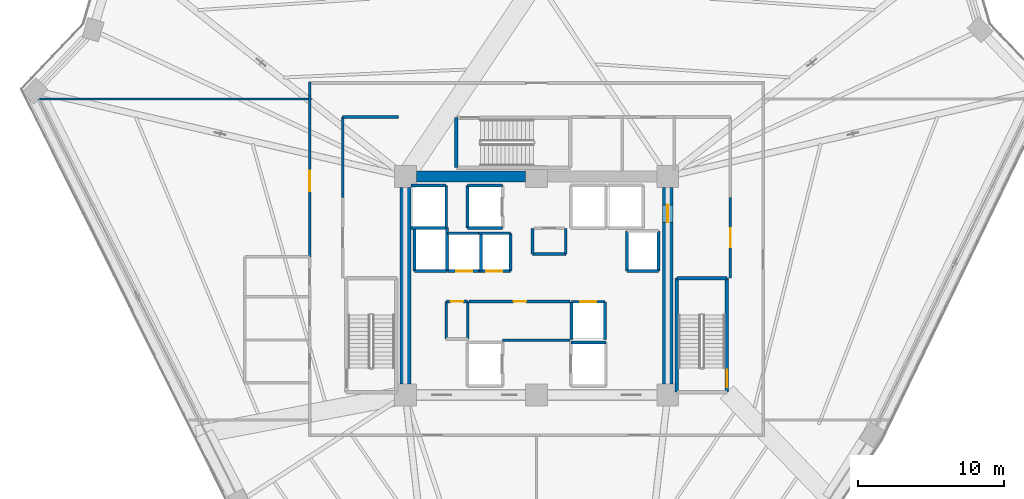
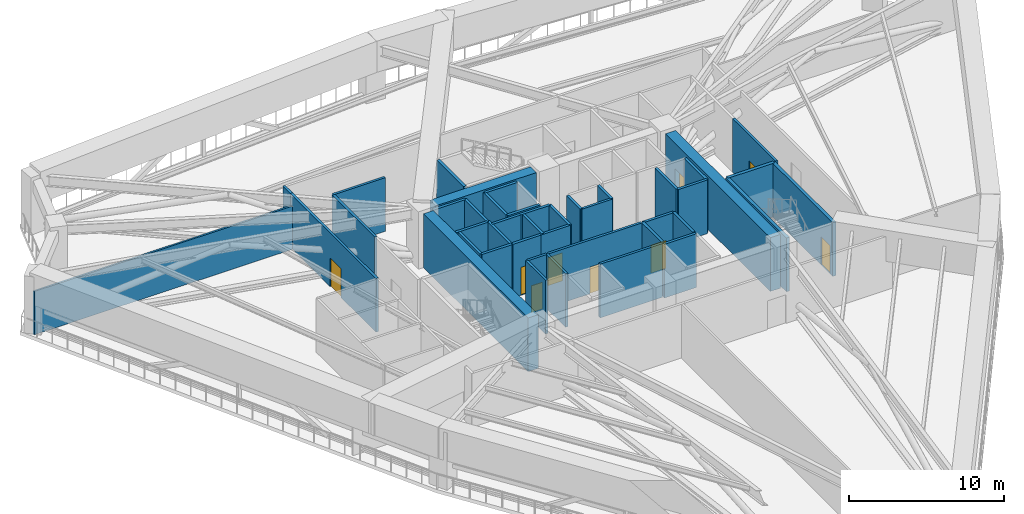
# One storey, part 17 of 27: 43 walls, 9 doors, 9 openings.
"""IFC4 building model written with IfcOpenShell, lengths in metres."""

from ifc_helpers import new_model, si_unit, direction, frame, frame_2d, origin, place, context, subcontext, project, spatial, rectangle, extrude, source, transform, mapped, material, layer, layer_set, type_object, element, fill, save


model = new_model("IFC4")

# Units and contexts
model_context = context("Model", 3, precision=1e-05, world=origin(), true_north=direction((0.0, 1.0)))
body_context = subcontext(model_context, "Body", "Model", "MODEL_VIEW")
ifc_project = project(units=[si_unit("LENGTHUNIT", "METRE"), si_unit("AREAUNIT", "SQUARE_METRE"), si_unit("VOLUMEUNIT", "CUBIC_METRE"), si_unit("PLANEANGLEUNIT", "RADIAN"), si_unit("MASSUNIT", "GRAM", prefix="KILO")], contexts=[model_context])

# Site, building, storey
site_placement = place(None, origin())
site = spatial("IfcSite", under=ifc_project, at=site_placement, CompositionType="ELEMENT")
building_placement = place(site_placement, origin())
building = spatial("IfcBuilding", under=site, at=building_placement, Name="Liaohun Quay Tower", CompositionType="ELEMENT")
storey_placement = place(building_placement, frame((0.0, 0.0, 185.25)))
storey = spatial("IfcBuildingStorey", under=building, at=storey_placement, Name="L48", CompositionType="ELEMENT", Elevation=185.25)

# Wall
ifc_material_1 = material(Name="Concrete C60", Category="concrete")
ifc_layer_1 = layer(ifc_material_1, 0.75, Name="Concrete C60", Category="concrete")
ifc_layer_set_1 = layer_set([ifc_layer_1], Name="Concrete C60")
wall_type_1 = type_object("IfcWallType", Name="WAL-COR-Z2", PredefinedType="SHEAR", material=ifc_layer_set_1)
wall_1_placement = place(storey_placement, frame((51.75, 61.5, 0.0), z_axis=(0.0, 0.0, 1.0), x_axis=(1.0, 0.0, 0.0)))
element("IfcWall", 1, at=wall_1_placement, inside=storey, type_object=wall_type_1, Name="L48 Central Core Shear Wall N-W", PredefinedType="SHEAR", context=body_context, shape_type="SweptSolid", body=[
    extrude(rectangle(XDim=7.5, YDim=0.75, at=frame_2d((3.75, 0.0))), origin(), (0.0, 0.0, 1.0), 4.219970703125),
])

# Wall, opening, door
wall_2_placement = place(storey_placement, frame((69.0, 60.75, 0.0), z_axis=(0.0, 0.0, 1.0), x_axis=(0.0, -1.0, 0.0)))
wall_2 = element("IfcWall", 2, at=wall_2_placement, inside=storey, type_object=wall_type_1, Name="L48 Central Core Shear Wall E", PredefinedType="SHEAR", context=body_context, shape_type="SweptSolid", body=[
    extrude(rectangle(XDim=13.5, YDim=0.75, at=frame_2d((6.75, 0.0))), origin(), (0.0, 0.0, 1.0), 4.219970703125),
])
shared_shape_1 = source(origin(), body_context, "Body", "SweptSolid", [
    extrude(rectangle(XDim=1.199951171875, YDim=2.199951171875, at=frame_2d((0.60009765625, 1.10009765625))), frame((0.0, 0.385009765625, 0.0), z_axis=(0.0, -1.0, 0.0), x_axis=(1.0, 0.0, 0.0)), (0.0, 0.0, 1.0), 0.77001953125),
])
opening_1_placement = place(wall_2_placement, frame((1.199951171875, 0.0, 0.0)))
opening_1 = element("IfcOpeningElement", 3, at=opening_1_placement, cuts=wall_2, Name="Opening SD1", PredefinedType="OPENING", context=body_context, shape_type="MappedRepresentation", body=[
    mapped(shared_shape_1, transform((0.0, 0.0, 0.0), x_axis=(1.0, 0.0, 0.0), y_axis=(0.0, 1.0, 0.0), z_axis=(0.0, 0.0, 1.0), scale=1.0)),
])
ifc_material_2 = material(Name="Galvanised steel fire door", Category="steel")
door_type_1 = type_object("IfcDoorType", Name="DOR-STR-1200", OperationType="NOTDEFINED", PredefinedType="DOOR", material=ifc_material_2)
shared_shape_2 = source(origin(), body_context, "Body", "SweptSolid", [
    extrude(rectangle(XDim=1.199951171875, YDim=2.199951171875, at=frame_2d((0.60009765625, 1.10009765625))), frame((0.0, 0.02490234375, 0.0), z_axis=(0.0, -1.0, 0.0), x_axis=(1.0, 0.0, 0.0)), (0.0, 0.0, 1.0), 0.050048828125),
])
door_1_placement = place(opening_1_placement, origin())
door_1 = element("IfcDoor", 4, at=door_1_placement, inside=storey, type_object=door_type_1, Name="L48 North-East Core Lobby Smokeproof Door", OperationType="SINGLE_SWING_LEFT", OverallHeight=2.199951171875, OverallWidth=1.199951171875, PredefinedType="DOOR", context=body_context, shape_type="MappedRepresentation", body=[
    mapped(shared_shape_2, transform((0.0, 0.0, 0.0), x_axis=(1.0, 0.0, 0.0), y_axis=(0.0, 1.0, 0.0), z_axis=(0.0, 0.0, 1.0), scale=1.0)),
])
fill(opening_1, door_1)

# Wall
wall_3_placement = place(storey_placement, frame((51.0, 47.25, 0.0), z_axis=(0.0, 0.0, 1.0), x_axis=(0.0, 1.0, 0.0)))
element("IfcWall", 5, at=wall_3_placement, inside=storey, type_object=wall_type_1, Name="L48 Central Core Shear Wall W", PredefinedType="SHEAR", context=body_context, shape_type="SweptSolid", body=[
    extrude(rectangle(XDim=13.5, YDim=0.75, at=frame_2d((6.75, 0.0))), origin(), (0.0, 0.0, 1.0), 4.219970703125),
])

# Wall, opening, door
ifc_material_3 = material(Name="Autoclaved aerated concrete blockwork", Category="masonry")
ifc_layer_2 = layer(ifc_material_3, 0.179931640625, Name="Autoclaved aerated concrete blockwork", Category="masonry")
ifc_layer_set_2 = layer_set([ifc_layer_2], Name="Autoclaved aerated concrete blockwork")
wall_type_2 = type_object("IfcWallType", Name="WAL-PRT-COR", PredefinedType="PARTITIONING", material=ifc_layer_set_2)
wall_4_placement = place(storey_placement, frame((55.3701171875, 52.919921875, 0.0), z_axis=(0.0, 0.0, 1.0), x_axis=(1.0, 0.0, 0.0)))
wall_4 = element("IfcWall", 6, at=wall_4_placement, inside=storey, type_object=wall_type_2, Name="L48 Interior Partition Wall 001", PredefinedType="PARTITIONING", context=body_context, shape_type="SweptSolid", body=[
    extrude(rectangle(XDim=6.929931640625, YDim=0.179931640625, at=frame_2d((3.46484375, 0.0))), origin(), (0.0, 0.0, 1.0), 4.219970703125),
])
shared_shape_3 = source(origin(), body_context, "Body", "SweptSolid", [
    extrude(rectangle(XDim=0.85009765625, YDim=2.10009765625, at=frame_2d((0.425048828125, 1.050048828125))), frame((0.0, 0.099853515625, 0.0), z_axis=(0.0, -1.0, 0.0), x_axis=(1.0, 0.0, 0.0)), (0.0, 0.0, 1.0), 0.199951171875),
])
opening_2_placement = place(wall_4_placement, frame((3.054931640625, 0.0, 0.0)))
opening_2 = element("IfcOpeningElement", 7, at=opening_2_placement, cuts=wall_4, Name="Opening AD1", PredefinedType="OPENING", context=body_context, shape_type="MappedRepresentation", body=[
    mapped(shared_shape_3, transform((0.0, 0.0, 0.0), x_axis=(1.0, 0.0, 0.0), y_axis=(0.0, 1.0, 0.0), z_axis=(0.0, 0.0, 1.0), scale=1.0)),
])
ifc_material_4 = material(Name="Steel riser inspection fire door", Category="steel")
door_type_2 = type_object("IfcDoorType", Name="DOR-SHF-850", OperationType="NOTDEFINED", PredefinedType="DOOR", material=ifc_material_4)
shared_shape_4 = source(origin(), body_context, "Body", "SweptSolid", [
    extrude(rectangle(XDim=0.85009765625, YDim=2.10009765625, at=frame_2d((0.425048828125, 1.050048828125))), frame((0.0, 0.02490234375, 0.0), z_axis=(0.0, -1.0, 0.0), x_axis=(1.0, 0.0, 0.0)), (0.0, 0.0, 1.0), 0.050048828125),
])
door_2_placement = place(opening_2_placement, origin())
door_2 = element("IfcDoor", 8, at=door_2_placement, inside=storey, type_object=door_type_2, Name="L48 Core Tenant Storage and Archive Room Door", OperationType="SINGLE_SWING_RIGHT", OverallHeight=2.10009765625, OverallWidth=0.85009765625, PredefinedType="DOOR", context=body_context, shape_type="MappedRepresentation", body=[
    mapped(shared_shape_4, transform((0.0, 0.0, 0.0), x_axis=(1.0, 0.0, 0.0), y_axis=(0.0, 1.0, 0.0), z_axis=(0.0, 0.0, 1.0), scale=1.0)),
])
fill(opening_2, door_2)

wall_5_placement = place(storey_placement, frame((53.820068359375, 52.919921875, 0.0), z_axis=(0.0, 0.0, 1.0), x_axis=(1.0, 0.0, 0.0)))
wall_5 = element("IfcWall", 9, at=wall_5_placement, inside=storey, type_object=wall_type_2, Name="L48 Interior Partition Wall 003", PredefinedType="PARTITIONING", context=body_context, shape_type="SweptSolid", body=[
    extrude(rectangle(XDim=1.429931640625, YDim=0.179931640625, at=frame_2d((0.71484375, 0.0))), origin(), (0.0, 0.0, 1.0), 4.219970703125),
])
opening_3_placement = place(wall_5_placement, frame((0.2900390625, 0.0, 0.0)))
opening_3 = element("IfcOpeningElement", 10, at=opening_3_placement, cuts=wall_5, Name="Opening AD1", PredefinedType="OPENING", context=body_context, shape_type="MappedRepresentation", body=[
    mapped(shared_shape_3, transform((0.0, 0.0, 0.0), x_axis=(1.0, 0.0, 0.0), y_axis=(0.0, 1.0, 0.0), z_axis=(0.0, 0.0, 1.0), scale=1.0)),
])
door_3_placement = place(opening_3_placement, origin())
door_3 = element("IfcDoor", 11, at=door_3_placement, inside=storey, type_object=door_type_2, Name="L48 Mechanical Smoke Duct Room Door", OperationType="SINGLE_SWING_RIGHT", OverallHeight=2.10009765625, OverallWidth=0.85009765625, PredefinedType="DOOR", context=body_context, shape_type="MappedRepresentation", body=[
    mapped(shared_shape_4, transform((0.0, 0.0, 0.0), x_axis=(1.0, 0.0, 0.0), y_axis=(0.0, 1.0, 0.0), z_axis=(0.0, 0.0, 1.0), scale=1.0)),
])
fill(opening_3, door_3)

wall_6_placement = place(storey_placement, frame((73.300048828125, 54.5400390625, 0.0), z_axis=(0.0, 0.0, 1.0), x_axis=(0.0, 1.0, 0.0)))
wall_6 = element("IfcWall", 12, at=wall_6_placement, inside=storey, type_object=wall_type_2, Name="L48 Interior Partition Wall 010", PredefinedType="PARTITIONING", context=body_context, shape_type="SweptSolid", body=[
    extrude(rectangle(XDim=5.52001953125, YDim=0.179931640625, at=frame_2d((2.760009765625, 0.0))), origin(), (0.0, 0.0, 1.0), 4.219970703125),
])
shared_shape_5 = source(origin(), body_context, "Body", "SweptSolid", [
    extrude(rectangle(XDim=1.300048828125, YDim=2.199951171875, at=frame_2d((0.64990234375, 1.10009765625))), frame((0.0, 0.099853515625, 0.0), z_axis=(0.0, -1.0, 0.0), x_axis=(1.0, 0.0, 0.0)), (0.0, 0.0, 1.0), 0.199951171875),
])
opening_4_placement = place(wall_6_placement, frame((2.110107421875, 0.0, 0.0)))
opening_4 = element("IfcOpeningElement", 13, at=opening_4_placement, cuts=wall_6, Name="Opening FD1", PredefinedType="OPENING", context=body_context, shape_type="MappedRepresentation", body=[
    mapped(shared_shape_5, transform((0.0, 0.0, 0.0), x_axis=(1.0, 0.0, 0.0), y_axis=(0.0, 1.0, 0.0), z_axis=(0.0, 0.0, 1.0), scale=1.0)),
])
ifc_material_5 = material(Name="Galvanised steel smokeproof fire door", Category="steel")
door_type_3 = type_object("IfcDoorType", Name="DOR-FFL-1300", OperationType="NOTDEFINED", PredefinedType="DOOR", material=ifc_material_5)
shared_shape_6 = source(origin(), body_context, "Body", "SweptSolid", [
    extrude(rectangle(XDim=1.300048828125, YDim=2.199951171875, at=frame_2d((0.64990234375, 1.10009765625))), frame((0.0, 0.02490234375, 0.0), z_axis=(0.0, -1.0, 0.0), x_axis=(1.0, 0.0, 0.0)), (0.0, 0.0, 1.0), 0.050048828125),
])
door_4_placement = place(opening_4_placement, origin())
door_4 = element("IfcDoor", 14, at=door_4_placement, inside=storey, type_object=door_type_3, Name="L48 East Core Vestibule Door", OperationType="SINGLE_SWING_LEFT", OverallHeight=2.199951171875, OverallWidth=1.300048828125, PredefinedType="DOOR", context=body_context, shape_type="MappedRepresentation", body=[
    mapped(shared_shape_6, transform((0.0, 0.0, 0.0), x_axis=(1.0, 0.0, 0.0), y_axis=(0.0, 1.0, 0.0), z_axis=(0.0, 0.0, 1.0), scale=1.0)),
])
fill(opening_4, door_4)

wall_7_placement = place(storey_placement, frame((44.43994140625, 55.97998046875, 0.0), z_axis=(0.0, 0.0, 1.0), x_axis=(0.0, 1.0, 0.0)))
wall_7 = element("IfcWall", 15, at=wall_7_placement, inside=storey, type_object=wall_type_2, Name="L48 Interior Partition Wall 013", PredefinedType="PARTITIONING", context=body_context, shape_type="SweptSolid", body=[
    extrude(rectangle(XDim=11.034912109375, YDim=0.179931640625, at=frame_2d((5.517578125, 0.0))), origin(), (0.0, 0.0, 1.0), 4.219970703125),
])
shared_shape_7 = source(origin(), body_context, "Body", "SweptSolid", [
    extrude(rectangle(XDim=1.39990234375, YDim=2.25, at=frame_2d((0.699951171875, 1.125))), frame((0.0, 0.099853515625, 0.0), z_axis=(0.0, -1.0, 0.0), x_axis=(1.0, 0.0, 0.0)), (0.0, 0.0, 1.0), 0.199951171875),
])
opening_5_placement = place(wall_7_placement, frame((4.51806640625, 0.0, 0.0)))
opening_5 = element("IfcOpeningElement", 16, at=opening_5_placement, cuts=wall_7, Name="Opening MD1", PredefinedType="OPENING", context=body_context, shape_type="MappedRepresentation", body=[
    mapped(shared_shape_7, transform((0.0, 0.0, 0.0), x_axis=(1.0, 0.0, 0.0), y_axis=(0.0, 1.0, 0.0), z_axis=(0.0, 0.0, 1.0), scale=1.0)),
])
ifc_material_6 = material(Name="Insulated steel plant room door", Category="steel")
door_type_4 = type_object("IfcDoorType", Name="DOR-MEP-1400", OperationType="DOUBLE_DOOR_SINGLE_SWING", PredefinedType="DOOR", material=ifc_material_6)
shared_shape_8 = source(origin(), body_context, "Body", "SweptSolid", [
    extrude(rectangle(XDim=1.39990234375, YDim=2.25, at=frame_2d((0.699951171875, 1.125))), frame((0.0, 0.02490234375, 0.0), z_axis=(0.0, -1.0, 0.0), x_axis=(1.0, 0.0, 0.0)), (0.0, 0.0, 1.0), 0.050048828125),
])
door_5_placement = place(opening_5_placement, origin())
door_5 = element("IfcDoor", 17, at=door_5_placement, inside=storey, type_object=door_type_4, Name="L48 West Air Handling Unit Plant Room Door", OperationType="DOUBLE_DOOR_SINGLE_SWING", OverallHeight=2.25, OverallWidth=1.39990234375, PredefinedType="DOOR", context=body_context, shape_type="MappedRepresentation", body=[
    mapped(shared_shape_8, transform((0.0, 0.0, 0.0), x_axis=(1.0, 0.0, 0.0), y_axis=(0.0, 1.0, 0.0), z_axis=(0.0, 0.0, 1.0), scale=1.0)),
])
fill(opening_5, door_5)

# Walls
for number, where, z_axis, x_axis, name in (
    (18, (59.719970703125, 56.179931640625, 0.0), (0.0, 0.0, 1.0), (0.0, 1.0, 0.0), "L48 Interior Partition Wall 016"),
    (19, (62.010009765625, 56.179931640625, 0.0), (0.0, 0.0, 1.0), (0.0, 1.0, 0.0), "L48 Interior Partition Wall 017"),
):
    element("IfcWall", number, at=place(storey_placement, frame(where, z_axis=z_axis, x_axis=x_axis)), inside=storey, type_object=wall_type_2, Name=name, PredefinedType="PARTITIONING", context=body_context, shape_type="SweptSolid", body=[
        extrude(rectangle(XDim=1.739990234375, YDim=0.179931640625, at=frame_2d((0.8701171875, 0.0))), origin(), (0.0, 0.0, 1.0), 4.219970703125),
    ])
wall_8_placement = place(storey_placement, frame((59.719970703125, 56.179931640625, 0.0), z_axis=(0.0, 0.0, 1.0), x_axis=(1.0, 0.0, 0.0)))
element("IfcWall", 20, at=wall_8_placement, inside=storey, type_object=wall_type_2, Name="L48 Interior Partition Wall 018", PredefinedType="PARTITIONING", context=body_context, shape_type="SweptSolid", body=[
    extrude(rectangle(XDim=2.2900390625, YDim=0.179931640625, at=frame_2d((1.14501953125, 0.0))), origin(), (0.0, 0.0, 1.0), 4.219970703125),
])
for number, where, z_axis, x_axis, name in (
    (21, (53.7900390625, 50.35009765625, 0.0), (0.0, 0.0, 1.0), (0.0, 1.0, 0.0), "L48 Interior Partition Wall 019"),
    (22, (55.280029296875, 50.35009765625, 0.0), (0.0, 0.0, 1.0), (0.0, 1.0, 0.0), "L48 Interior Partition Wall 021"),
):
    element("IfcWall", number, at=place(storey_placement, frame(where, z_axis=z_axis, x_axis=x_axis)), inside=storey, type_object=wall_type_2, Name=name, PredefinedType="PARTITIONING", context=body_context, shape_type="SweptSolid", body=[
        extrude(rectangle(XDim=2.56982421875, YDim=0.179931640625, at=frame_2d((1.284912109375, 0.0))), origin(), (0.0, 0.0, 1.0), 4.219970703125),
    ])
wall_9_placement = place(storey_placement, frame((46.699951171875, 65.580078125, 0.0), z_axis=(0.0, 0.0, 1.0), x_axis=(1.0, 0.0, 0.0)))
element("IfcWall", 23, at=wall_9_placement, inside=storey, type_object=wall_type_2, Name="L48 Interior Partition Wall 029", PredefinedType="PARTITIONING", context=body_context, shape_type="SweptSolid", body=[
    extrude(rectangle(XDim=3.840087890625, YDim=0.179931640625, at=frame_2d((1.919921875, 0.0))), origin(), (0.0, 0.0, 1.0), 4.219970703125),
])
wall_10_placement = place(storey_placement, frame((46.699951171875, 60.06005859375, 0.0), z_axis=(0.0, 0.0, 1.0), x_axis=(0.0, 1.0, 0.0)))
element("IfcWall", 24, at=wall_10_placement, inside=storey, type_object=wall_type_2, Name="L48 Interior Partition Wall 031", PredefinedType="PARTITIONING", context=body_context, shape_type="SweptSolid", body=[
    extrude(rectangle(XDim=5.52001953125, YDim=0.179931640625, at=frame_2d((2.760009765625, 0.0))), origin(), (0.0, 0.0, 1.0), 4.219970703125),
])
wall_11_placement = place(storey_placement, frame((44.43994140625, 67.014892578125, 0.0), z_axis=(0.0, 0.0, 1.0), x_axis=(0.0, 1.0, 0.0)))
element("IfcWall", 25, at=wall_11_placement, inside=storey, type_object=wall_type_2, Name="L48 Interior Partition Wall 033", PredefinedType="PARTITIONING", context=body_context, shape_type="SweptSolid", body=[
    extrude(rectangle(XDim=0.965087890625, YDim=0.179931640625, at=frame_2d((0.482421875, 0.0))), origin(), (0.0, 0.0, 1.0), 4.219970703125),
])
wall_12_placement = place(storey_placement, frame((57.64990234375, 50.25, 0.0), z_axis=(0.0, 0.0, 1.0), x_axis=(1.0, 0.0, 0.0)))
element("IfcWall", 26, at=wall_12_placement, inside=storey, type_object=wall_type_2, Name="L48 Interior Partition Wall 043", PredefinedType="PARTITIONING", context=body_context, shape_type="SweptSolid", body=[
    extrude(rectangle(XDim=4.650146484375, YDim=0.179931640625, at=frame_2d((2.3251953125, 0.0))), origin(), (0.0, 0.0, 1.0), 4.219970703125),
])
ifc_material_7 = material(Name="Gypsum board on twin steel studs", Category="steel")
ifc_layer_3 = layer(ifc_material_7, 0.139892578125, Name="Gypsum board on twin steel studs", Category="steel")
ifc_layer_set_3 = layer_set([ifc_layer_3], Name="Gypsum board on twin steel studs")
wall_type_3 = type_object("IfcWallType", Name="WAL-PRT-OFF", PredefinedType="PARTITIONING", material=ifc_layer_set_3)
wall_13_placement = place(storey_placement, frame((44.5400390625, 66.800048828125, 0.0), z_axis=(0.0, 0.0, 1.0), x_axis=(-1.0, 0.0, 0.0)))
element("IfcWall", 27, at=wall_13_placement, inside=storey, type_object=wall_type_3, Name="L48 Interior Partition Wall 040", PredefinedType="PARTITIONING", context=body_context, shape_type="SweptSolid", body=[
    extrude(rectangle(XDim=19.380126953125, YDim=0.139892578125, at=frame_2d((9.68994140625, 0.0))), origin(), (0.0, 0.0, 1.0), 3.405029296875),
])

# Wall, opening, door
ifc_material_8 = material(Name="Concrete C50", Category="concrete")
ifc_layer_4 = layer(ifc_material_8, 0.239990234375, Name="Concrete C50", Category="concrete")
ifc_layer_set_4 = layer_set([ifc_layer_4], Name="Concrete C50")
wall_type_4 = type_object("IfcWallType", Name="WAL-SHF-200", PredefinedType="SOLIDWALL", material=ifc_layer_set_4)
wall_14_placement = place(storey_placement, frame((73.06005859375, 46.699951171875, 0.0), z_axis=(0.0, 0.0, 1.0), x_axis=(0.0, 1.0, 0.0)))
wall_14 = element("IfcWall", 28, at=wall_14_placement, inside=storey, type_object=wall_type_4, Name="L48 Stairwell ST-2 Structural Core Wall E", PredefinedType="SOLIDWALL", context=body_context, shape_type="SweptSolid", body=[
    extrude(rectangle(XDim=7.820068359375, YDim=0.239990234375, at=frame_2d((3.91015625, 0.0))), origin(), (0.0, 0.0, 1.0), 4.219970703125),
])
shared_shape_9 = source(origin(), body_context, "Body", "SweptSolid", [
    extrude(rectangle(XDim=1.199951171875, YDim=2.199951171875, at=frame_2d((0.60009765625, 1.10009765625))), frame((0.0, 0.1298828125, 0.0), z_axis=(0.0, -1.0, 0.0), x_axis=(1.0, 0.0, 0.0)), (0.0, 0.0, 1.0), 0.260009765625),
])
opening_6_placement = place(wall_14_placement, frame((0.320068359375, 0.0, 0.0)))
opening_6 = element("IfcOpeningElement", 29, at=opening_6_placement, cuts=wall_14, Name="Opening SD1", PredefinedType="OPENING", context=body_context, shape_type="MappedRepresentation", body=[
    mapped(shared_shape_9, transform((0.0, 0.0, 0.0), x_axis=(1.0, 0.0, 0.0), y_axis=(0.0, 1.0, 0.0), z_axis=(0.0, 0.0, 1.0), scale=1.0)),
])
door_6_placement = place(opening_6_placement, origin())
door_6 = element("IfcDoor", 30, at=door_6_placement, inside=storey, type_object=door_type_1, Name="L48 Protected Stair ST-2 Fire Door", OperationType="SINGLE_SWING_RIGHT", OverallHeight=2.199951171875, OverallWidth=1.199951171875, PredefinedType="DOOR", context=body_context, shape_type="MappedRepresentation", body=[
    mapped(shared_shape_2, transform((0.0, 0.0, 0.0), x_axis=(1.0, 0.0, 0.0), y_axis=(0.0, 1.0, 0.0), z_axis=(0.0, 0.0, 1.0), scale=1.0)),
])
fill(opening_6, door_6)

# Walls
wall_15_placement = place(storey_placement, frame((73.06005859375, 54.52001953125, 0.0), z_axis=(0.0, 0.0, 1.0), x_axis=(-1.0, 0.0, 0.0)))
element("IfcWall", 31, at=wall_15_placement, inside=storey, type_object=wall_type_4, Name="L48 Stairwell ST-2 Structural Core Wall N", PredefinedType="SOLIDWALL", context=body_context, shape_type="SweptSolid", body=[
    extrude(rectangle(XDim=3.43994140625, YDim=0.239990234375, at=frame_2d((1.719970703125, 0.0))), origin(), (0.0, 0.0, 1.0), 4.219970703125),
])
wall_16_placement = place(storey_placement, frame((69.6201171875, 54.52001953125, 0.0), z_axis=(0.0, 0.0, 1.0), x_axis=(0.0, -1.0, 0.0)))
element("IfcWall", 32, at=wall_16_placement, inside=storey, type_object=wall_type_4, Name="L48 Stairwell ST-2 Structural Core Wall W", PredefinedType="SOLIDWALL", context=body_context, shape_type="SweptSolid", body=[
    extrude(rectangle(XDim=7.820068359375, YDim=0.239990234375, at=frame_2d((3.91015625, 0.0))), origin(), (0.0, 0.0, 1.0), 4.219970703125),
])
wall_17_placement = place(storey_placement, frame((54.5, 65.5400390625, 0.0), z_axis=(0.0, 0.0, 1.0), x_axis=(0.0, -1.0, 0.0)))
element("IfcWall", 33, at=wall_17_placement, inside=storey, type_object=wall_type_4, Name="L48 Stairwell ST-3 Structural Core Wall W", PredefinedType="SOLIDWALL", context=body_context, shape_type="SweptSolid", body=[
    extrude(rectangle(XDim=3.43994140625, YDim=0.239990234375, at=frame_2d((1.719970703125, 0.0))), origin(), (0.0, 0.0, 1.0), 4.219970703125),
])
for number, where, z_axis, x_axis, name in (
    (34, (64.75, 50.1201171875, 0.0), (0.0, 0.0, 1.0), (-1.0, 0.0, 0.0), "L48 Lift FF-02 Hoistway Wall N"),
    (35, (55.25, 57.949951171875, 0.0), (0.0, 0.0, 1.0), (1.0, 0.0, 0.0), "L48 Lift FF-03 Hoistway Wall S"),
    (36, (57.64990234375, 60.8798828125, 0.0), (0.0, 0.0, 1.0), (-1.0, 0.0, 0.0), "L48 Lift FF-03 Hoistway Wall N"),
):
    element("IfcWall", number, at=place(storey_placement, frame(where, z_axis=z_axis, x_axis=x_axis)), inside=storey, type_object=wall_type_4, Name=name, PredefinedType="SOLIDWALL", context=body_context, shape_type="SweptSolid", body=[
        extrude(rectangle(XDim=2.39990234375, YDim=0.199951171875, at=frame_2d((1.199951171875, 0.0))), origin(), (0.0, 0.0, 1.0), 4.219970703125),
    ])
wall_18_placement = place(storey_placement, frame((55.25, 60.8798828125, 0.0), z_axis=(0.0, 0.0, 1.0), x_axis=(0.0, -1.0, 0.0)))
element("IfcWall", 37, at=wall_18_placement, inside=storey, type_object=wall_type_4, Name="L48 Lift FF-03 Hoistway Wall W", PredefinedType="SOLIDWALL", context=body_context, shape_type="SweptSolid", body=[
    extrude(rectangle(XDim=2.929931640625, YDim=0.199951171875, at=frame_2d((1.46484375, 0.0))), origin(), (0.0, 0.0, 1.0), 4.219970703125),
])
wall_19_placement = place(storey_placement, frame((51.39990234375, 57.949951171875, 0.0), z_axis=(0.0, 0.0, 1.0), x_axis=(1.0, 0.0, 0.0)))
element("IfcWall", 38, at=wall_19_placement, inside=storey, type_object=wall_type_4, Name="L48 Lift SH-01 Hoistway Wall S", PredefinedType="SOLIDWALL", context=body_context, shape_type="SweptSolid", body=[
    extrude(rectangle(XDim=2.400146484375, YDim=0.199951171875, at=frame_2d((1.2001953125, 0.0))), origin(), (0.0, 0.0, 1.0), 4.219970703125),
])
wall_20_placement = place(storey_placement, frame((53.800048828125, 57.949951171875, 0.0), z_axis=(0.0, 0.0, 1.0), x_axis=(0.0, 1.0, 0.0)))
element("IfcWall", 39, at=wall_20_placement, inside=storey, type_object=wall_type_4, Name="L48 Lift SH-01 Hoistway Wall E", PredefinedType="SOLIDWALL", context=body_context, shape_type="SweptSolid", body=[
    extrude(rectangle(XDim=2.929931640625, YDim=0.199951171875, at=frame_2d((1.46484375, 0.0))), origin(), (0.0, 0.0, 1.0), 4.219970703125),
])
wall_21_placement = place(storey_placement, frame((53.800048828125, 60.8798828125, 0.0), z_axis=(0.0, 0.0, 1.0), x_axis=(-1.0, 0.0, 0.0)))
element("IfcWall", 40, at=wall_21_placement, inside=storey, type_object=wall_type_4, Name="L48 Lift SH-01 Hoistway Wall N", PredefinedType="SOLIDWALL", context=body_context, shape_type="SweptSolid", body=[
    extrude(rectangle(XDim=2.400146484375, YDim=0.199951171875, at=frame_2d((1.2001953125, 0.0))), origin(), (0.0, 0.0, 1.0), 4.219970703125),
])
wall_22_placement = place(storey_placement, frame((51.6201171875, 55.0, 0.0), z_axis=(0.0, 0.0, 1.0), x_axis=(1.0, 0.0, 0.0)))
element("IfcWall", 41, at=wall_22_placement, inside=storey, type_object=wall_type_4, Name="L48 Lift SH-02 Hoistway Wall S", PredefinedType="SOLIDWALL", context=body_context, shape_type="SweptSolid", body=[
    extrude(rectangle(XDim=2.22998046875, YDim=0.199951171875, at=frame_2d((1.114990234375, 0.0))), origin(), (0.0, 0.0, 1.0), 4.219970703125),
])
for number, where, z_axis, x_axis, name in (
    (42, (53.85009765625, 55.0, 0.0), (0.0, 0.0, 1.0), (0.0, 1.0, 0.0), "L48 Lift SH-02 Hoistway Wall E"),
    (43, (51.6201171875, 58.0, 0.0), (0.0, 0.0, 1.0), (0.0, -1.0, 0.0), "L48 Lift SH-02 Hoistway Wall W"),
):
    element("IfcWall", number, at=place(storey_placement, frame(where, z_axis=z_axis, x_axis=x_axis)), inside=storey, type_object=wall_type_4, Name=name, PredefinedType="SOLIDWALL", context=body_context, shape_type="SweptSolid", body=[
        extrude(rectangle(XDim=3.0, YDim=0.199951171875, at=frame_2d((1.5, 0.0))), origin(), (0.0, 0.0, 1.0), 4.219970703125),
    ])
wall_23_placement = place(storey_placement, frame((66.199951171875, 55.0, 0.0), z_axis=(0.0, 0.0, 1.0), x_axis=(1.0, 0.0, 0.0)))
element("IfcWall", 44, at=wall_23_placement, inside=storey, type_object=wall_type_4, Name="L48 Lift SH-03 Hoistway Wall S", PredefinedType="SOLIDWALL", context=body_context, shape_type="SweptSolid", body=[
    extrude(rectangle(XDim=2.179931640625, YDim=0.199951171875, at=frame_2d((1.08984375, 0.0))), origin(), (0.0, 0.0, 1.0), 4.219970703125),
])
for number, where, z_axis, x_axis, name in (
    (45, (68.3798828125, 55.0, 0.0), (0.0, 0.0, 1.0), (0.0, 1.0, 0.0), "L48 Lift SH-03 Hoistway Wall E"),
    (46, (66.199951171875, 57.75, 0.0), (0.0, 0.0, 1.0), (0.0, -1.0, 0.0), "L48 Lift SH-03 Hoistway Wall W"),
):
    element("IfcWall", number, at=place(storey_placement, frame(where, z_axis=z_axis, x_axis=x_axis)), inside=storey, type_object=wall_type_4, Name=name, PredefinedType="SOLIDWALL", context=body_context, shape_type="SweptSolid", body=[
        extrude(rectangle(XDim=2.75, YDim=0.199951171875, at=frame_2d((1.375, 0.0))), origin(), (0.0, 0.0, 1.0), 4.219970703125),
    ])
wall_24_placement = place(storey_placement, frame((64.699951171875, 50.300048828125, 0.0), z_axis=(0.0, 0.0, 1.0), x_axis=(0.0, 1.0, 0.0)))
element("IfcWall", 47, at=wall_24_placement, inside=storey, type_object=wall_type_4, Name="L48 Lift PL-2A Hoistway Wall E", PredefinedType="SOLIDWALL", context=body_context, shape_type="SweptSolid", body=[
    extrude(rectangle(XDim=2.599853515625, YDim=0.199951171875, at=frame_2d((1.2998046875, 0.0))), origin(), (0.0, 0.0, 1.0), 4.219970703125),
])

# Wall, opening, door
wall_25_placement = place(storey_placement, frame((64.699951171875, 52.89990234375, 0.0), z_axis=(0.0, 0.0, 1.0), x_axis=(-1.0, 0.0, 0.0)))
wall_25 = element("IfcWall", 48, at=wall_25_placement, inside=storey, type_object=wall_type_4, Name="L48 Lift PL-2A Hoistway Wall N", PredefinedType="SOLIDWALL", context=body_context, shape_type="SweptSolid", body=[
    extrude(rectangle(XDim=2.300048828125, YDim=0.199951171875, at=frame_2d((1.14990234375, 0.0))), origin(), (0.0, 0.0, 1.0), 4.219970703125),
])
shared_shape_10 = source(origin(), body_context, "Body", "SweptSolid", [
    extrude(rectangle(XDim=1.10009765625, YDim=2.199951171875, at=frame_2d((0.550048828125, 1.10009765625))), frame((0.0, 0.10986328125, 0.0), z_axis=(0.0, -1.0, 0.0), x_axis=(1.0, 0.0, 0.0)), (0.0, 0.0, 1.0), 0.219970703125),
])
opening_7_placement = place(wall_25_placement, frame((0.60009765625, 0.0, 0.0)))
opening_7 = element("IfcOpeningElement", 49, at=opening_7_placement, cuts=wall_25, Name="Opening LD1", PredefinedType="OPENING", context=body_context, shape_type="MappedRepresentation", body=[
    mapped(shared_shape_10, transform((0.0, 0.0, 0.0), x_axis=(1.0, 0.0, 0.0), y_axis=(0.0, 1.0, 0.0), z_axis=(0.0, 0.0, 1.0), scale=1.0)),
])
ifc_material_9 = material(Name="Brushed stainless steel landing door", Category="steel")
door_type_5 = type_object("IfcDoorType", Name="DOR-LFT-1100", OperationType="SLIDING_TO_LEFT", PredefinedType="DOOR", material=ifc_material_9)
shared_shape_11 = source(origin(), body_context, "Body", "SweptSolid", [
    extrude(rectangle(XDim=1.10009765625, YDim=2.199951171875, at=frame_2d((0.550048828125, 1.10009765625))), frame((0.0, 0.02490234375, 0.0), z_axis=(0.0, -1.0, 0.0), x_axis=(1.0, 0.0, 0.0)), (0.0, 0.0, 1.0), 0.050048828125),
])
door_7_placement = place(opening_7_placement, origin())
door_7 = element("IfcDoor", 50, at=door_7_placement, inside=storey, type_object=door_type_5, Name="L48 Lift PL-2A Sliding Landing Door", OperationType="SLIDING_TO_LEFT", OverallHeight=2.199951171875, OverallWidth=1.10009765625, PredefinedType="DOOR", context=body_context, shape_type="MappedRepresentation", body=[
    mapped(shared_shape_11, transform((0.0, 0.0, 0.0), x_axis=(1.0, 0.0, 0.0), y_axis=(0.0, 1.0, 0.0), z_axis=(0.0, 0.0, 1.0), scale=1.0)),
])
fill(opening_7, door_7)

# Wall
wall_26_placement = place(storey_placement, frame((62.39990234375, 52.89990234375, 0.0), z_axis=(0.0, 0.0, 1.0), x_axis=(0.0, -1.0, 0.0)))
element("IfcWall", 51, at=wall_26_placement, inside=storey, type_object=wall_type_4, Name="L48 Lift PL-2A Hoistway Wall W", PredefinedType="SOLIDWALL", context=body_context, shape_type="SweptSolid", body=[
    extrude(rectangle(XDim=2.599853515625, YDim=0.199951171875, at=frame_2d((1.2998046875, 0.0))), origin(), (0.0, 0.0, 1.0), 4.219970703125),
])

# Wall, opening, door
wall_27_placement = place(storey_placement, frame((53.89990234375, 55.0, 0.0), z_axis=(0.0, 0.0, 1.0), x_axis=(1.0, 0.0, 0.0)))
wall_27 = element("IfcWall", 52, at=wall_27_placement, inside=storey, type_object=wall_type_4, Name="L48 Lift PL-2B Hoistway Wall S", PredefinedType="SOLIDWALL", context=body_context, shape_type="SweptSolid", body=[
    extrude(rectangle(XDim=2.300048828125, YDim=0.199951171875, at=frame_2d((1.14990234375, 0.0))), origin(), (0.0, 0.0, 1.0), 4.219970703125),
])
opening_8_placement = place(wall_27_placement, frame((0.60009765625, 0.0, 0.0)))
opening_8 = element("IfcOpeningElement", 53, at=opening_8_placement, cuts=wall_27, Name="Opening LD1", PredefinedType="OPENING", context=body_context, shape_type="MappedRepresentation", body=[
    mapped(shared_shape_10, transform((0.0, 0.0, 0.0), x_axis=(1.0, 0.0, 0.0), y_axis=(0.0, 1.0, 0.0), z_axis=(0.0, 0.0, 1.0), scale=1.0)),
])
door_8_placement = place(opening_8_placement, origin())
door_8 = element("IfcDoor", 54, at=door_8_placement, inside=storey, type_object=door_type_5, Name="L48 Lift PL-2B Sliding Landing Door", OperationType="SLIDING_TO_LEFT", OverallHeight=2.199951171875, OverallWidth=1.10009765625, PredefinedType="DOOR", context=body_context, shape_type="MappedRepresentation", body=[
    mapped(shared_shape_11, transform((0.0, 0.0, 0.0), x_axis=(1.0, 0.0, 0.0), y_axis=(0.0, 1.0, 0.0), z_axis=(0.0, 0.0, 1.0), scale=1.0)),
])
fill(opening_8, door_8)

# Walls
wall_28_placement = place(storey_placement, frame((56.199951171875, 55.0, 0.0), z_axis=(0.0, 0.0, 1.0), x_axis=(0.0, 1.0, 0.0)))
element("IfcWall", 55, at=wall_28_placement, inside=storey, type_object=wall_type_4, Name="L48 Lift PL-2B Hoistway Wall E", PredefinedType="SOLIDWALL", context=body_context, shape_type="SweptSolid", body=[
    extrude(rectangle(XDim=2.60009765625, YDim=0.199951171875, at=frame_2d((1.300048828125, 0.0))), origin(), (0.0, 0.0, 1.0), 4.219970703125),
])
wall_29_placement = place(storey_placement, frame((56.199951171875, 57.60009765625, 0.0), z_axis=(0.0, 0.0, 1.0), x_axis=(-1.0, 0.0, 0.0)))
element("IfcWall", 56, at=wall_29_placement, inside=storey, type_object=wall_type_4, Name="L48 Lift PL-2B Hoistway Wall N", PredefinedType="SOLIDWALL", context=body_context, shape_type="SweptSolid", body=[
    extrude(rectangle(XDim=2.300048828125, YDim=0.199951171875, at=frame_2d((1.14990234375, 0.0))), origin(), (0.0, 0.0, 1.0), 4.219970703125),
])

# Wall, opening, door
wall_30_placement = place(storey_placement, frame((56.0, 55.0, 0.0), z_axis=(0.0, 0.0, 1.0), x_axis=(1.0, 0.0, 0.0)))
wall_30 = element("IfcWall", 57, at=wall_30_placement, inside=storey, type_object=wall_type_4, Name="L48 Lift PL-2C Hoistway Wall S", PredefinedType="SOLIDWALL", context=body_context, shape_type="SweptSolid", body=[
    extrude(rectangle(XDim=2.199951171875, YDim=0.199951171875, at=frame_2d((1.10009765625, 0.0))), origin(), (0.0, 0.0, 1.0), 4.219970703125),
])
opening_9_placement = place(wall_30_placement, frame((0.550048828125, 0.0, 0.0)))
opening_9 = element("IfcOpeningElement", 58, at=opening_9_placement, cuts=wall_30, Name="Opening LD1", PredefinedType="OPENING", context=body_context, shape_type="MappedRepresentation", body=[
    mapped(shared_shape_10, transform((0.0, 0.0, 0.0), x_axis=(1.0, 0.0, 0.0), y_axis=(0.0, 1.0, 0.0), z_axis=(0.0, 0.0, 1.0), scale=1.0)),
])
door_9_placement = place(opening_9_placement, origin())
door_9 = element("IfcDoor", 59, at=door_9_placement, inside=storey, type_object=door_type_5, Name="L48 Lift PL-2C Sliding Landing Door", OperationType="SLIDING_TO_LEFT", OverallHeight=2.199951171875, OverallWidth=1.10009765625, PredefinedType="DOOR", context=body_context, shape_type="MappedRepresentation", body=[
    mapped(shared_shape_11, transform((0.0, 0.0, 0.0), x_axis=(1.0, 0.0, 0.0), y_axis=(0.0, 1.0, 0.0), z_axis=(0.0, 0.0, 1.0), scale=1.0)),
])
fill(opening_9, door_9)

# Walls
wall_31_placement = place(storey_placement, frame((58.199951171875, 55.0, 0.0), z_axis=(0.0, 0.0, 1.0), x_axis=(0.0, 1.0, 0.0)))
element("IfcWall", 60, at=wall_31_placement, inside=storey, type_object=wall_type_4, Name="L48 Lift PL-2C Hoistway Wall E", PredefinedType="SOLIDWALL", context=body_context, shape_type="SweptSolid", body=[
    extrude(rectangle(XDim=2.60009765625, YDim=0.199951171875, at=frame_2d((1.300048828125, 0.0))), origin(), (0.0, 0.0, 1.0), 4.219970703125),
])
wall_32_placement = place(storey_placement, frame((58.199951171875, 57.60009765625, 0.0), z_axis=(0.0, 0.0, 1.0), x_axis=(-1.0, 0.0, 0.0)))
element("IfcWall", 61, at=wall_32_placement, inside=storey, type_object=wall_type_4, Name="L48 Lift PL-2C Hoistway Wall N", PredefinedType="SOLIDWALL", context=body_context, shape_type="SweptSolid", body=[
    extrude(rectangle(XDim=2.199951171875, YDim=0.199951171875, at=frame_2d((1.10009765625, 0.0))), origin(), (0.0, 0.0, 1.0), 4.219970703125),
])

save(model, "model.ifc")
